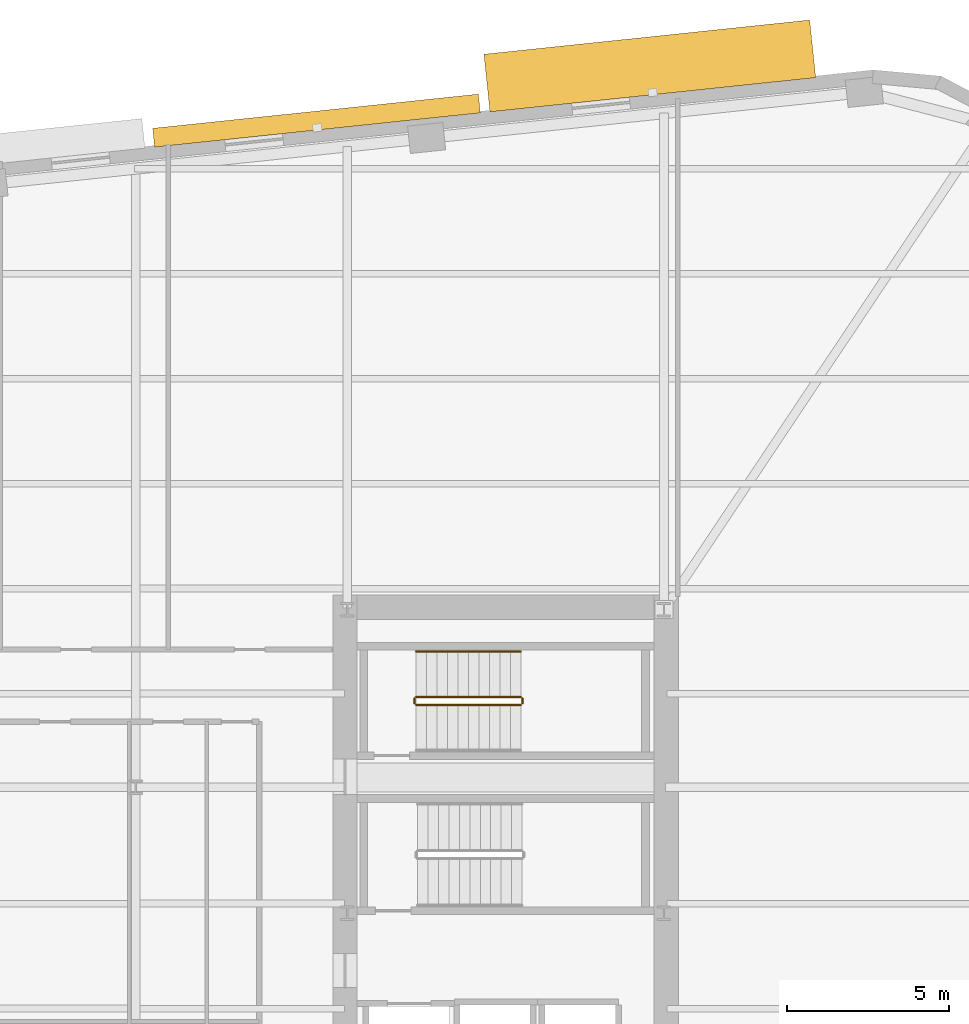
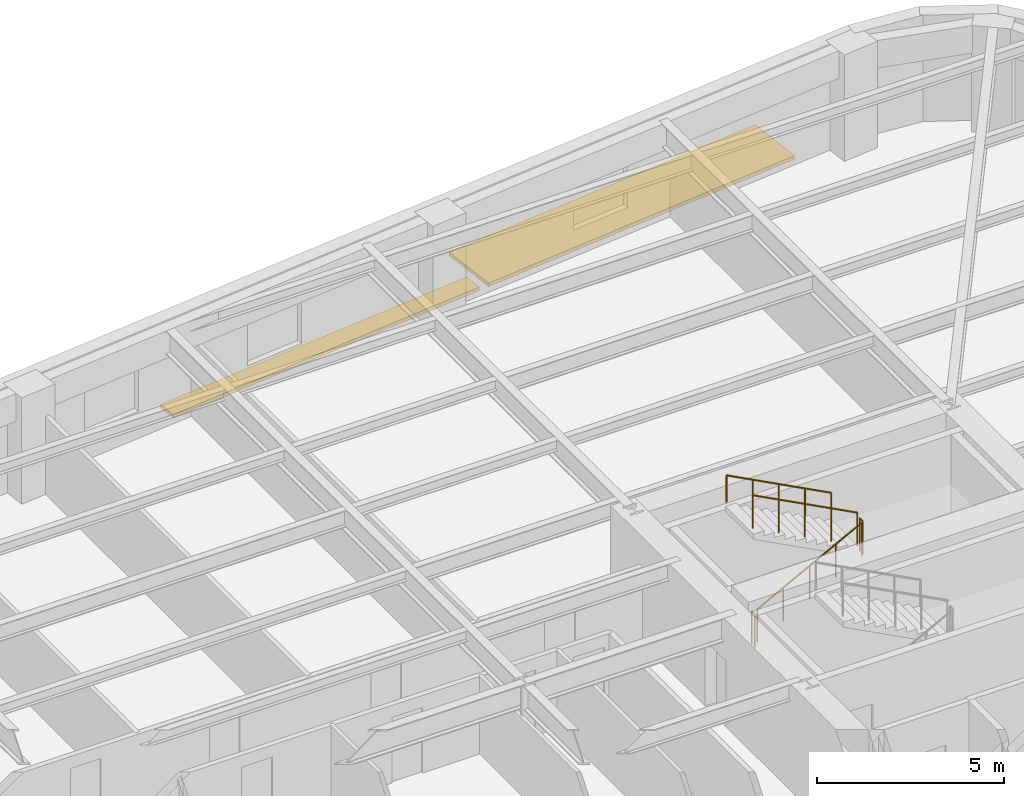
# One storey, part 13 of 13: 5 railings, 2 shading devices.
"""IFC4 building model written with IfcOpenShell, lengths in metres."""

from ifc_helpers import new_model, si_unit, direction, frame, origin, origin_2d, place, context, subcontext, project, spatial, rectangle, circle, extrude, material, type_object, element, save


model = new_model("IFC4")

# Units and contexts
model_context = context("Model", 3, precision=1e-05, world=origin(), true_north=direction((0.0, 1.0)))
body_context = subcontext(model_context, "Body", "Model", "MODEL_VIEW")
ifc_project = project(units=[si_unit("LENGTHUNIT", "METRE"), si_unit("AREAUNIT", "SQUARE_METRE"), si_unit("VOLUMEUNIT", "CUBIC_METRE"), si_unit("PLANEANGLEUNIT", "RADIAN"), si_unit("MASSUNIT", "GRAM", prefix="KILO")], contexts=[model_context])

# Site, building, storey
site_placement = place(None, origin())
site = spatial("IfcSite", under=ifc_project, at=site_placement, CompositionType="ELEMENT")
building_placement = place(site_placement, origin())
building = spatial("IfcBuilding", under=site, at=building_placement, Name="Kolvaren Arena Tower", CompositionType="ELEMENT")
storey_placement = place(building_placement, frame((0.0, 0.0, 145.75)))
storey = spatial("IfcBuildingStorey", under=building, at=storey_placement, Name="L34", CompositionType="ELEMENT", Elevation=145.75)

# Railings
ifc_material_1 = material(Name="Painted galvanized steel", Category="steel")
railing_type_1 = type_object("IfcRailingType", Name="GUARD-ST-110", PredefinedType="GUARDRAIL", material=ifc_material_1)
railing_1_placement = place(storey_placement, frame((52.679931640625, 36.39990234375, 0.17041015625)))
element("IfcRailing", 1, at=railing_1_placement, inside=storey, type_object=railing_type_1, Name="L34 ST-E2 stair guard 1", PredefinedType="GUARDRAIL", context=body_context, shape_type="SweptSolid", body=[
    extrude(circle(Radius=0.02392578125, at=origin_2d()), frame((0.0, 0.0, 1.076171875), z_axis=(0.884993431791, 0.0, 0.465603506952), x_axis=(0.0, 1.0, 0.0)), (0.0, 0.0, 1.0), 3.6611328125),
    extrude(circle(Radius=0.02099609375, at=origin_2d()), origin(), (0.0, 0.0, 1.0), 1.052001953125),
    extrude(circle(Radius=0.02099609375, at=origin_2d()), frame((0.81005859375, 0.0, 0.42626953125)), (0.0, 0.0, 1.0), 1.052001953125),
    extrude(circle(Radius=0.02099609375, at=origin_2d()), frame((1.6201171875, 0.0, 0.852294921875)), (0.0, 0.0, 1.0), 1.052001953125),
    extrude(circle(Radius=0.02099609375, at=origin_2d()), frame((2.429931640625, 0.0, 1.2783203125)), (0.0, 0.0, 1.0), 1.052001953125),
    extrude(circle(Radius=0.02099609375, at=origin_2d()), frame((3.239990234375, 0.0, 1.70458984375)), (0.0, 0.0, 1.0), 1.052001953125),
])
railing_2_placement = place(storey_placement, frame((55.969970703125, 36.449951171875, 1.875)))
element("IfcRailing", 2, at=railing_2_placement, inside=storey, type_object=railing_type_1, Name="L34 ST-E2 stair guard 2", PredefinedType="GUARDRAIL", context=body_context, shape_type="SweptSolid", body=[
    extrude(circle(Radius=0.02392578125, at=origin_2d()), frame((0.0, 0.0, 1.076171875), z_axis=(0.0, 1.0, 0.0), x_axis=(-1.0, 0.0, 0.0)), (0.0, 0.0, 1.0), 0.150146484375),
    extrude(circle(Radius=0.02099609375, at=origin_2d()), origin(), (0.0, 0.0, 1.0), 1.052001953125),
    extrude(circle(Radius=0.02099609375, at=origin_2d()), frame((0.0, 0.150146484375, 0.0)), (0.0, 0.0, 1.0), 1.052001953125),
])
railing_3_placement = place(storey_placement, frame((55.919921875, 36.64990234375, 2.04541015625)))
element("IfcRailing", 3, at=railing_3_placement, inside=storey, type_object=railing_type_1, Name="L34 ST-E2 stair guard 3", PredefinedType="GUARDRAIL", context=body_context, shape_type="SweptSolid", body=[
    extrude(circle(Radius=0.02392578125, at=origin_2d()), frame((0.0, 0.0, 1.076171875), z_axis=(-0.884993431791, 0.0, 0.465603506952), x_axis=(0.0, -1.0, 0.0)), (0.0, 0.0, 1.0), 3.6611328125),
    extrude(circle(Radius=0.02099609375, at=origin_2d()), origin(), (0.0, 0.0, 1.0), 1.052001953125),
    extrude(circle(Radius=0.02099609375, at=origin_2d()), frame((-0.81005859375, 0.0, 0.42626953125)), (0.0, 0.0, 1.0), 1.052001953125),
    extrude(circle(Radius=0.02099609375, at=origin_2d()), frame((-1.6201171875, 0.0, 0.852294921875)), (0.0, 0.0, 1.0), 1.052001953125),
    extrude(circle(Radius=0.02099609375, at=origin_2d()), frame((-2.429931640625, 0.0, 1.2783203125)), (0.0, 0.0, 1.0), 1.052001953125),
    extrude(circle(Radius=0.02099609375, at=origin_2d()), frame((-3.239990234375, 0.0, 1.70458984375)), (0.0, 0.0, 1.0), 1.052001953125),
])
railing_4_placement = place(storey_placement, frame((52.6298828125, 36.449951171875, 0.0)))
element("IfcRailing", 4, at=railing_4_placement, inside=storey, type_object=railing_type_1, Name="L34 ST-E2 stair guard 4", PredefinedType="GUARDRAIL", context=body_context, shape_type="SweptSolid", body=[
    extrude(circle(Radius=0.02392578125, at=origin_2d()), frame((0.0, 0.0, 1.076171875), z_axis=(0.0, 1.0, 0.0), x_axis=(-1.0, 0.0, 0.0)), (0.0, 0.0, 1.0), 0.150146484375),
    extrude(circle(Radius=0.02099609375, at=origin_2d()), origin(), (0.0, 0.0, 1.0), 1.052001953125),
    extrude(circle(Radius=0.02099609375, at=origin_2d()), frame((0.0, 0.150146484375, 0.0)), (0.0, 0.0, 1.0), 1.052001953125),
])
ifc_material_2 = material(Name="Brushed stainless steel handrail", Category="steel")
railing_type_2 = type_object("IfcRailingType", Name="HRAIL-900", PredefinedType="HANDRAIL", material=ifc_material_2)
railing_5_placement = place(storey_placement, frame((55.919921875, 38.050048828125, 2.04541015625)))
element("IfcRailing", 5, at=railing_5_placement, inside=storey, type_object=railing_type_2, Name="L34 ST-E2 stair handrail 2", PredefinedType="HANDRAIL", context=body_context, shape_type="SweptSolid", body=[
    extrude(circle(Radius=0.02392578125, at=origin_2d()), frame((0.0, 0.0, 0.8759765625), z_axis=(-0.884993431791, 0.0, 0.465603506952), x_axis=(0.0, -1.0, 0.0)), (0.0, 0.0, 1.0), 3.6611328125),
    extrude(circle(Radius=0.02099609375, at=origin_2d()), origin(), (0.0, 0.0, 1.0), 0.851806640625),
    extrude(circle(Radius=0.02099609375, at=origin_2d()), frame((-0.81005859375, 0.0, 0.42626953125)), (0.0, 0.0, 1.0), 0.851806640625),
    extrude(circle(Radius=0.02099609375, at=origin_2d()), frame((-1.6201171875, 0.0, 0.852294921875)), (0.0, 0.0, 1.0), 0.851806640625),
    extrude(circle(Radius=0.02099609375, at=origin_2d()), frame((-2.429931640625, 0.0, 1.2783203125)), (0.0, 0.0, 1.0), 0.851806640625),
    extrude(circle(Radius=0.02099609375, at=origin_2d()), frame((-3.239990234375, 0.0, 1.70458984375)), (0.0, 0.0, 1.0), 0.851806640625),
])

# Shading devices
ifc_material_3 = material(Name="Architectural precast GFRC and anodised aluminium sunshade", Category="concrete")
shading_device_type_1 = type_object("IfcShadingDeviceType", Name="SHAD-SINE-A", PredefinedType="USERDEFINED", material=ifc_material_3)
shading_device_1_placement = place(storey_placement, frame((49.59375, 54.490234375, -0.14013671875), z_axis=(0.0, 0.0, 1.0), x_axis=(0.994522077803, 0.104526727499, 0.0)))
element("IfcShadingDevice", 6, at=shading_device_1_placement, inside=storey, type_object=shading_device_type_1, Name="Sinusoidal Slab-Edge Sunshade Louvre (L34)", ObjectType="LOUVRE", PredefinedType="USERDEFINED", context=body_context, shape_type="SweptSolid", body=[
    extrude(rectangle(XDim=10.139892578125, YDim=0.5849609375, at=origin_2d()), origin(), (0.0, 0.0, 1.0), 0.1201171875),
])
shading_device_type_2 = type_object("IfcShadingDeviceType", Name="SHAD-SINE-B", PredefinedType="JALOUSIE", material=ifc_material_3)
shading_device_2_placement = place(storey_placement, frame((59.913330078125, 56.1826171875, -0.14013671875), z_axis=(0.0, 0.0, 1.0), x_axis=(0.994522077803, 0.104526727499, 0.0)))
element("IfcShadingDevice", 7, at=shading_device_2_placement, inside=storey, type_object=shading_device_type_2, Name="Sinusoidal Slab-Edge Sunshade Louvre (L34)", PredefinedType="JALOUSIE", context=body_context, shape_type="SweptSolid", body=[
    extrude(rectangle(XDim=10.139892578125, YDim=1.7939453125, at=origin_2d()), origin(), (0.0, 0.0, 1.0), 0.1201171875),
])

save(model, "model.ifc")
